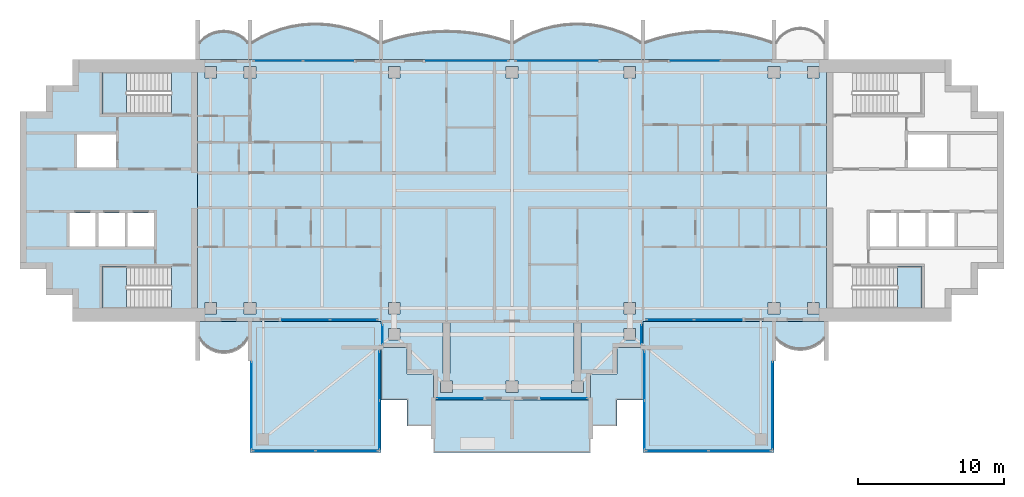
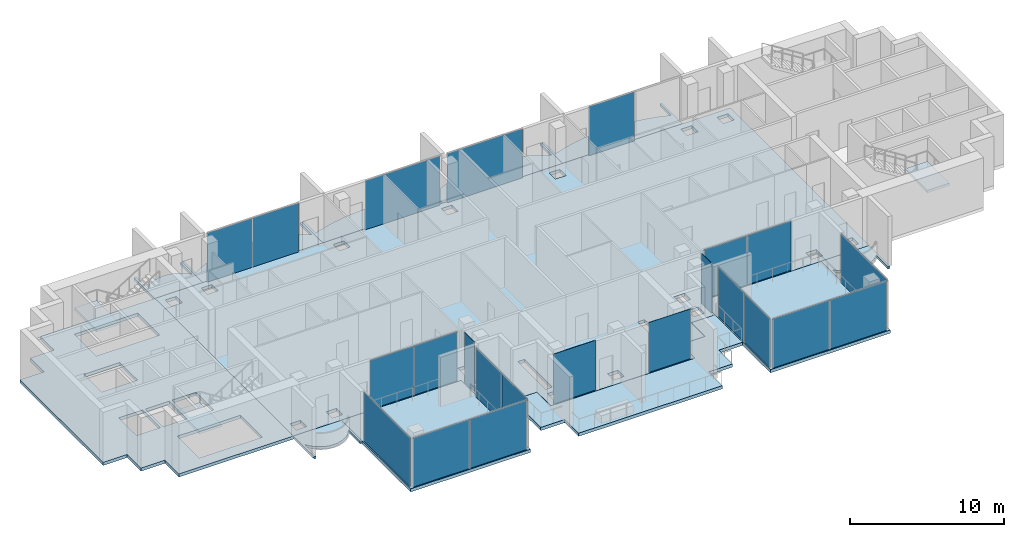
# One storey, part 5 of 16: 23 plates, 15 slabs, 19 elements without a shape of their own.
"""IFC4 building model written with IfcOpenShell, lengths in metres."""

from ifc_helpers import new_model, si_unit, direction, frame, origin, origin_2d, place, context, subcontext, project, spatial, polyline, rectangle, outline, extrude, material, layer, layer_set, type_object, element, aggregate, save


model = new_model("IFC4")

# Units and contexts
model_context = context("Model", 3, precision=1e-05, world=origin(), true_north=direction((0.0, 1.0)))
body_context = subcontext(model_context, "Body", "Model", "MODEL_VIEW")
ifc_project = project(units=[si_unit("LENGTHUNIT", "METRE"), si_unit("AREAUNIT", "SQUARE_METRE"), si_unit("VOLUMEUNIT", "CUBIC_METRE"), si_unit("PLANEANGLEUNIT", "RADIAN"), si_unit("MASSUNIT", "GRAM", prefix="KILO")], contexts=[model_context])

# Site, building, storey
site_placement = place(None, origin())
site = spatial("IfcSite", under=ifc_project, at=site_placement, CompositionType="ELEMENT")
building_placement = place(site_placement, origin())
building = spatial("IfcBuilding", under=site, at=building_placement, Name="Perihelion Cross Residences", CompositionType="ELEMENT")
storey_placement = place(building_placement, frame((0.0, 0.0, 290.39990234375)))
storey = spatial("IfcBuildingStorey", under=building, at=storey_placement, Name="L74", CompositionType="ELEMENT", Elevation=290.39990234375)

# Slabs
ifc_material_1 = material(Name="Concrete C40/50", Category="concrete")
ifc_layer_1 = layer(ifc_material_1, 0.199951171875)
ifc_layer_set_1 = layer_set([ifc_layer_1], Name="Balcony slab 200")
slab_type_1 = type_object("IfcSlabType", Name="Balcony slab 200", PredefinedType="FLOOR", material=ifc_layer_set_1)
slab_1_placement = place(storey_placement, frame((0.0, 0.0, -0.199951171875)))
element("IfcSlab", 1, at=slab_1_placement, inside=storey, type_object=slab_type_1, Name="Slab BK1 L74 east side north bay 2 balcony", PredefinedType="FLOOR", context=body_context, shape_type="SweptSolid", body=[
    extrude(outline(polyline([(18.0, 9.0), (9.0, 9.0), (9.0, 11.699951171875), (9.14990234375, 11.699951171875), (9.14990234375, 10.199951171875), (10.02001953125, 10.47509765625), (10.889892578125, 10.68505859375), (11.760009765625, 10.8330078125), (12.6298828125, 10.9208984375), (13.5, 10.949951171875), (14.3701171875, 10.9208984375), (15.239990234375, 10.8330078125), (16.110107421875, 10.68505859375), (16.97998046875, 10.47509765625), (17.85009765625, 10.199951171875), (17.85009765625, 11.699951171875), (18.0, 11.699951171875), (18.0, 9.0)])), origin(), (0.0, 0.0, 1.0), 0.199951171875),
])
slab_2_placement = place(storey_placement, frame((0.0, 0.0, -0.199951171875)))
element("IfcSlab", 2, at=slab_2_placement, inside=storey, type_object=slab_type_1, Name="Slab BK1 L74 north side east bay 1 balcony", PredefinedType="FLOOR", context=body_context, shape_type="SweptSolid", body=[
    extrude(outline(polyline([(9.0, 9.0), (0.0, 9.0), (0.0, 11.699951171875), (0.14990234375, 11.699951171875), (0.14990234375, 10.199951171875), (0.8193359375, 10.57666015625), (1.488525390625, 10.87646484375), (2.15771484375, 11.108154296875), (2.826904296875, 11.27734375), (3.49609375, 11.38818359375), (4.165283203125, 11.443115234375), (4.834716796875, 11.443115234375), (5.50390625, 11.38818359375), (6.173095703125, 11.27734375), (6.84228515625, 11.108154296875), (7.511474609375, 10.87646484375), (8.1806640625, 10.57666015625), (8.85009765625, 10.199951171875), (8.85009765625, 11.699951171875), (9.0, 11.699951171875), (9.0, 9.0)])), origin(), (0.0, 0.0, 1.0), 0.199951171875),
])
slab_3_placement = place(storey_placement, frame((0.0, 0.0, -0.199951171875)))
element("IfcSlab", 3, at=slab_3_placement, inside=storey, type_object=slab_type_1, Name="Slab BK1 L74 north side east bay 2 balcony", PredefinedType="FLOOR", context=body_context, shape_type="SweptSolid", body=[
    extrude(outline(polyline([(0.0, 9.0), (-9.0, 9.0), (-9.0, 11.699951171875), (-8.85009765625, 11.699951171875), (-8.85009765625, 10.199951171875), (-7.97998046875, 10.47509765625), (-7.110107421875, 10.68505859375), (-6.239990234375, 10.8330078125), (-5.3701171875, 10.9208984375), (-4.5, 10.949951171875), (-3.6298828125, 10.9208984375), (-2.760009765625, 10.8330078125), (-1.889892578125, 10.68505859375), (-1.02001953125, 10.47509765625), (-0.14990234375, 10.199951171875), (-0.14990234375, 11.699951171875), (0.0, 11.699951171875), (0.0, 9.0)])), origin(), (0.0, 0.0, 1.0), 0.199951171875),
])
slab_4_placement = place(storey_placement, frame((0.0, 0.0, -0.199951171875)))
element("IfcSlab", 4, at=slab_4_placement, inside=storey, type_object=slab_type_1, Name="Slab BK1 L74 west side north bay 1 balcony", PredefinedType="FLOOR", context=body_context, shape_type="SweptSolid", body=[
    extrude(outline(polyline([(-9.0, 9.0), (-18.0, 9.0), (-18.0, 11.699951171875), (-17.85009765625, 11.699951171875), (-17.85009765625, 10.199951171875), (-17.1806640625, 10.57666015625), (-16.511474609375, 10.87646484375), (-15.84228515625, 11.108154296875), (-15.173095703125, 11.27734375), (-14.50390625, 11.38818359375), (-13.834716796875, 11.443115234375), (-13.165283203125, 11.443115234375), (-12.49609375, 11.38818359375), (-11.826904296875, 11.27734375), (-11.15771484375, 11.108154296875), (-10.488525390625, 10.87646484375), (-9.8193359375, 10.57666015625), (-9.14990234375, 10.199951171875), (-9.14990234375, 11.699951171875), (-9.0, 11.699951171875), (-9.0, 9.0)])), origin(), (0.0, 0.0, 1.0), 0.199951171875),
])
slab_5_placement = place(storey_placement, frame((0.0, 0.0, -0.199951171875)))
element("IfcSlab", 5, at=slab_5_placement, inside=storey, type_object=slab_type_1, Name="Slab BK1 L74 west side north bay 2 balcony", PredefinedType="FLOOR", context=body_context, shape_type="SweptSolid", body=[
    extrude(outline(polyline([(-18.0, 9.0), (-21.60009765625, 9.0), (-21.60009765625, 11.699951171875), (-21.449951171875, 11.699951171875), (-21.449951171875, 10.199951171875), (-21.1201171875, 10.507568359375), (-20.7900390625, 10.71337890625), (-20.4599609375, 10.84814453125), (-20.1298828125, 10.925048828125), (-19.800048828125, 10.949951171875), (-19.469970703125, 10.925048828125), (-19.139892578125, 10.84814453125), (-18.81005859375, 10.71337890625), (-18.47998046875, 10.507568359375), (-18.14990234375, 10.199951171875), (-18.14990234375, 11.699951171875), (-18.0, 11.699951171875), (-18.0, 9.0)])), origin(), (0.0, 0.0, 1.0), 0.199951171875),
])
slab_6_placement = place(storey_placement, frame((0.0, 0.0, -0.199951171875)))
element("IfcSlab", 6, at=slab_6_placement, inside=storey, type_object=slab_type_1, Name="Slab BK1 L74 west side south bay 1 balcony", PredefinedType="FLOOR", context=body_context, shape_type="SweptSolid", body=[
    extrude(outline(polyline([(-21.60009765625, -9.0), (-18.0, -9.0), (-18.0, -11.699951171875), (-18.14990234375, -11.699951171875), (-18.14990234375, -10.199951171875), (-18.425048828125, -10.568603515625), (-18.699951171875, -10.806396484375), (-18.97509765625, -10.96875), (-19.25, -11.07568359375), (-19.52490234375, -11.136962890625), (-19.800048828125, -11.156982421875), (-20.074951171875, -11.136962890625), (-20.35009765625, -11.07568359375), (-20.625, -10.96875), (-20.89990234375, -10.806396484375), (-21.175048828125, -10.568603515625), (-21.449951171875, -10.199951171875), (-21.449951171875, -11.699951171875), (-21.60009765625, -11.699951171875), (-21.60009765625, -9.0)])), origin(), (0.0, 0.0, 1.0), 0.199951171875),
])
slab_7_placement = place(storey_placement, frame((0.0, 0.0, -0.199951171875)))
element("IfcSlab", 7, at=slab_7_placement, inside=storey, type_object=slab_type_1, Name="Slab BK1 L74 east side south bay 2 balcony", PredefinedType="FLOOR", context=body_context, shape_type="SweptSolid", body=[
    extrude(outline(polyline([(18.0, -9.0), (21.60009765625, -9.0), (21.60009765625, -11.699951171875), (21.449951171875, -11.699951171875), (21.449951171875, -10.199951171875), (21.1201171875, -10.507568359375), (20.7900390625, -10.71337890625), (20.4599609375, -10.84814453125), (20.1298828125, -10.925048828125), (19.800048828125, -10.949951171875), (19.469970703125, -10.925048828125), (19.139892578125, -10.84814453125), (18.81005859375, -10.71337890625), (18.47998046875, -10.507568359375), (18.14990234375, -10.199951171875), (18.14990234375, -11.699951171875), (18.0, -11.699951171875), (18.0, -9.0)])), origin(), (0.0, 0.0, 1.0), 0.199951171875),
])

# Curtain wall, plate
ifc_material_2 = material(Name="Bronze anodised aluminium, tinted glazing", Category="aluminium")
curtain_wall_type_1 = type_object("IfcCurtainWallType", Name="CW1", PredefinedType="NOTDEFINED", material=ifc_material_2)
curtain_wall_1_placement = place(storey_placement, origin())
curtain_wall_1 = element("IfcCurtainWall", 8, at=curtain_wall_1_placement, inside=storey, type_object=curtain_wall_type_1, Name="Curtain wall CW1 L74 east side north bay 2", PredefinedType="NOTDEFINED")
ifc_material_3 = material(Name="Tinted laminated glass", Category="glass")
ifc_layer_2 = layer(ifc_material_3, 0.028076171875)
ifc_layer_set_2 = layer_set([ifc_layer_2], Name="CW1 panel")
plate_type_1 = type_object("IfcPlateType", Name="CW1 panel", PredefinedType="CURTAIN_PANEL", material=ifc_layer_set_2)
plate_1_placement = place(storey_placement, frame((12.610107421875, 8.89990234375, 0.0), z_axis=(0.0, 0.0, 1.0), x_axis=(-1.0, 0.0, 0.0)))
plate_1 = element("IfcPlate", 9, at=plate_1_placement, type_object=plate_type_1, Name="CW1 panel 2", PredefinedType="CURTAIN_PANEL", context=body_context, shape_type="SweptSolid", body=[
    extrude(rectangle(XDim=3.419921875, YDim=0.028076171875, at=origin_2d()), origin(), (0.0, 0.0, 1.0), 3.889892578125),
])
aggregate(curtain_wall_1, [plate_1])

curtain_wall_2_placement = place(storey_placement, origin())
curtain_wall_2 = element("IfcCurtainWall", 10, at=curtain_wall_2_placement, inside=storey, type_object=curtain_wall_type_1, Name="Curtain wall CW1 L74 north side east bay 1", PredefinedType="NOTDEFINED")
plate_2_placement = place(storey_placement, frame((3.080078125, 8.89990234375, 0.0), z_axis=(0.0, 0.0, 1.0), x_axis=(-1.0, 0.0, 0.0)))
plate_2 = element("IfcPlate", 11, at=plate_2_placement, type_object=plate_type_1, Name="CW1 panel 1", PredefinedType="CURTAIN_PANEL", context=body_context, shape_type="SweptSolid", body=[
    extrude(rectangle(XDim=5.639892578125, YDim=0.028076171875, at=origin_2d()), origin(), (0.0, 0.0, 1.0), 3.889892578125),
])
aggregate(curtain_wall_2, [plate_2])

curtain_wall_3_placement = place(storey_placement, origin())
curtain_wall_3 = element("IfcCurtainWall", 12, at=curtain_wall_3_placement, inside=storey, type_object=curtain_wall_type_1, Name="Curtain wall CW1 L74 north side east bay 2", PredefinedType="NOTDEFINED")
plate_3_placement = place(storey_placement, frame((-3.080078125, 8.89990234375, 0.0), z_axis=(0.0, 0.0, 1.0), x_axis=(-1.0, 0.0, 0.0)))
plate_3 = element("IfcPlate", 13, at=plate_3_placement, type_object=plate_type_1, Name="CW1 panel 1", PredefinedType="CURTAIN_PANEL", context=body_context, shape_type="SweptSolid", body=[
    extrude(rectangle(XDim=5.639892578125, YDim=0.028076171875, at=origin_2d()), origin(), (0.0, 0.0, 1.0), 3.889892578125),
])
aggregate(curtain_wall_3, [plate_3])

# Curtain wall, plates
curtain_wall_4_placement = place(storey_placement, origin())
curtain_wall_4 = element("IfcCurtainWall", 14, at=curtain_wall_4_placement, inside=storey, type_object=curtain_wall_type_1, Name="Curtain wall CW1 L74 west side north bay 1", PredefinedType="NOTDEFINED")
plate_4_placement = place(storey_placement, frame((-12.610107421875, 8.89990234375, 0.0), z_axis=(0.0, 0.0, 1.0), x_axis=(-1.0, 0.0, 0.0)))
plate_4 = element("IfcPlate", 15, at=plate_4_placement, type_object=plate_type_1, Name="CW1 panel 1", PredefinedType="CURTAIN_PANEL", context=body_context, shape_type="SweptSolid", body=[
    extrude(rectangle(XDim=3.419921875, YDim=0.028076171875, at=origin_2d()), origin(), (0.0, 0.0, 1.0), 3.889892578125),
])
plate_5_placement = place(storey_placement, frame((-16.06005859375, 8.89990234375, 0.0), z_axis=(0.0, 0.0, 1.0), x_axis=(-1.0, 0.0, 0.0)))
plate_5 = element("IfcPlate", 16, at=plate_5_placement, type_object=plate_type_1, Name="CW1 panel 2", PredefinedType="CURTAIN_PANEL", context=body_context, shape_type="SweptSolid", body=[
    extrude(rectangle(XDim=3.360107421875, YDim=0.028076171875, at=origin_2d()), origin(), (0.0, 0.0, 1.0), 3.889892578125),
])
aggregate(curtain_wall_4, [plate_4, plate_5])

curtain_wall_5_placement = place(storey_placement, origin())
curtain_wall_5 = element("IfcCurtainWall", 17, at=curtain_wall_5_placement, inside=storey, type_object=curtain_wall_type_1, Name="Curtain wall CW1 L74 west side south bay 2", PredefinedType="NOTDEFINED")
plate_6_placement = place(storey_placement, frame((-14.1650390625, -8.89990234375, 0.0), z_axis=(0.0, 0.0, 1.0), x_axis=(1.0, 0.0, 0.0)))
plate_6 = element("IfcPlate", 18, at=plate_6_placement, type_object=plate_type_1, Name="CW1 panel 1", PredefinedType="CURTAIN_PANEL", context=body_context, shape_type="SweptSolid", body=[
    extrude(rectangle(XDim=3.27001953125, YDim=0.028076171875, at=origin_2d()), origin(), (0.0, 0.0, 1.0), 3.889892578125),
])
plate_7_placement = place(storey_placement, frame((-10.864990234375, -8.89990234375, 0.0), z_axis=(0.0, 0.0, 1.0), x_axis=(1.0, 0.0, 0.0)))
plate_7 = element("IfcPlate", 19, at=plate_7_placement, type_object=plate_type_1, Name="CW1 panel 2", PredefinedType="CURTAIN_PANEL", context=body_context, shape_type="SweptSolid", body=[
    extrude(rectangle(XDim=3.2099609375, YDim=0.028076171875, at=origin_2d()), origin(), (0.0, 0.0, 1.0), 3.889892578125),
])
aggregate(curtain_wall_5, [plate_6, plate_7])

# Curtain wall, plate
curtain_wall_6_placement = place(storey_placement, origin())
curtain_wall_6 = element("IfcCurtainWall", 20, at=curtain_wall_6_placement, inside=storey, type_object=curtain_wall_type_1, Name="Curtain wall CW1 L74 south side west bay 1", PredefinedType="NOTDEFINED")
plate_8_placement = place(storey_placement, frame((-8.89990234375, -9.89990234375, 0.0), z_axis=(0.0, 0.0, 1.0), x_axis=(0.0, -1.0, 0.0)))
plate_8 = element("IfcPlate", 21, at=plate_8_placement, type_object=plate_type_1, Name="CW1 panel 1", PredefinedType="CURTAIN_PANEL", context=body_context, shape_type="SweptSolid", body=[
    extrude(rectangle(XDim=1.280029296875, YDim=0.028076171875, at=origin_2d()), origin(), (0.0, 0.0, 1.0), 3.949951171875),
])
aggregate(curtain_wall_6, [plate_8])

curtain_wall_7_placement = place(storey_placement, origin())
curtain_wall_7 = element("IfcCurtainWall", 22, at=curtain_wall_7_placement, inside=storey, type_object=curtain_wall_type_1, Name="Curtain wall CW1 L74 south tip south bay 1", PredefinedType="NOTDEFINED")
plate_9_placement = place(storey_placement, frame((-3.570068359375, -14.300048828125, 0.0), z_axis=(0.0, 0.0, 1.0), x_axis=(1.0, 0.0, 0.0)))
plate_9 = element("IfcPlate", 23, at=plate_9_placement, type_object=plate_type_1, Name="CW1 panel 1", PredefinedType="CURTAIN_PANEL", context=body_context, shape_type="SweptSolid", body=[
    extrude(rectangle(XDim=3.139892578125, YDim=0.028076171875, at=origin_2d()), origin(), (0.0, 0.0, 1.0), 3.949951171875),
])
aggregate(curtain_wall_7, [plate_9])

curtain_wall_8_placement = place(storey_placement, origin())
curtain_wall_8 = element("IfcCurtainWall", 24, at=curtain_wall_8_placement, inside=storey, type_object=curtain_wall_type_1, Name="Curtain wall CW1 L74 south tip south bay 2", PredefinedType="NOTDEFINED")
plate_10_placement = place(storey_placement, frame((3.570068359375, -14.300048828125, 0.0), z_axis=(0.0, 0.0, 1.0), x_axis=(1.0, 0.0, 0.0)))
plate_10 = element("IfcPlate", 25, at=plate_10_placement, type_object=plate_type_1, Name="CW1 panel 1", PredefinedType="CURTAIN_PANEL", context=body_context, shape_type="SweptSolid", body=[
    extrude(rectangle(XDim=3.139892578125, YDim=0.028076171875, at=origin_2d()), origin(), (0.0, 0.0, 1.0), 3.949951171875),
])
aggregate(curtain_wall_8, [plate_10])

curtain_wall_9_placement = place(storey_placement, origin())
curtain_wall_9 = element("IfcCurtainWall", 26, at=curtain_wall_9_placement, inside=storey, type_object=curtain_wall_type_1, Name="Curtain wall CW1 L74 south side east bay 1", PredefinedType="NOTDEFINED")
plate_11_placement = place(storey_placement, frame((8.89990234375, -9.89990234375, 0.0), z_axis=(0.0, 0.0, 1.0), x_axis=(0.0, 1.0, 0.0)))
plate_11 = element("IfcPlate", 27, at=plate_11_placement, type_object=plate_type_1, Name="CW1 panel 1", PredefinedType="CURTAIN_PANEL", context=body_context, shape_type="SweptSolid", body=[
    extrude(rectangle(XDim=1.280029296875, YDim=0.028076171875, at=origin_2d()), origin(), (0.0, 0.0, 1.0), 3.949951171875),
])
aggregate(curtain_wall_9, [plate_11])

# Curtain wall, plates
curtain_wall_10_placement = place(storey_placement, origin())
curtain_wall_10 = element("IfcCurtainWall", 28, at=curtain_wall_10_placement, inside=storey, type_object=curtain_wall_type_1, Name="Curtain wall CW1 L74 east side south bay 1", PredefinedType="NOTDEFINED")
plate_12_placement = place(storey_placement, frame((10.864990234375, -8.89990234375, 0.0), z_axis=(0.0, 0.0, 1.0), x_axis=(1.0, 0.0, 0.0)))
plate_12 = element("IfcPlate", 29, at=plate_12_placement, type_object=plate_type_1, Name="CW1 panel 1", PredefinedType="CURTAIN_PANEL", context=body_context, shape_type="SweptSolid", body=[
    extrude(rectangle(XDim=3.2099609375, YDim=0.028076171875, at=origin_2d()), origin(), (0.0, 0.0, 1.0), 3.889892578125),
])
plate_13_placement = place(storey_placement, frame((14.1650390625, -8.89990234375, 0.0), z_axis=(0.0, 0.0, 1.0), x_axis=(1.0, 0.0, 0.0)))
plate_13 = element("IfcPlate", 30, at=plate_13_placement, type_object=plate_type_1, Name="CW1 panel 2", PredefinedType="CURTAIN_PANEL", context=body_context, shape_type="SweptSolid", body=[
    extrude(rectangle(XDim=3.27001953125, YDim=0.028076171875, at=origin_2d()), origin(), (0.0, 0.0, 1.0), 3.889892578125),
])
aggregate(curtain_wall_10, [plate_12, plate_13])

# Curtain wall, plate
ifc_material_4 = material(Name="Bronze anodised aluminium, tinted glazing", Category="aluminium")
curtain_wall_type_2 = type_object("IfcCurtainWallType", Name="CW4", PredefinedType="NOTDEFINED", material=ifc_material_4)
curtain_wall_11_placement = place(storey_placement, origin())
curtain_wall_11 = element("IfcCurtainWall", 31, at=curtain_wall_11_placement, inside=storey, type_object=curtain_wall_type_2, Name="Curtain wall CW4 L74 pocket south-east 1 1", PredefinedType="NOTDEFINED")
ifc_material_5 = material(Name="Tinted laminated glass", Category="glass")
ifc_layer_3 = layer(ifc_material_5, 0.030029296875)
ifc_layer_set_3 = layer_set([ifc_layer_3], Name="CW4 panel")
plate_type_2 = type_object("IfcPlateType", Name="CW4 panel", PredefinedType="CURTAIN_PANEL", material=ifc_layer_set_3)
plate_14_placement = place(storey_placement, frame((17.89990234375, -14.784912109375, 0.0), z_axis=(0.0, 0.0, 1.0), x_axis=(0.0, -1.0, 0.0)))
plate_14 = element("IfcPlate", 32, at=plate_14_placement, type_object=plate_type_2, Name="CW4 panel 1", PredefinedType="CURTAIN_PANEL", context=body_context, shape_type="SweptSolid", body=[
    extrude(rectangle(XDim=5.969970703125, YDim=0.030029296875, at=origin_2d()), origin(), (0.0, 0.0, 1.0), 3.889892578125),
])
aggregate(curtain_wall_11, [plate_14])

# Curtain wall, plates
curtain_wall_12_placement = place(storey_placement, origin())
curtain_wall_12 = element("IfcCurtainWall", 33, at=curtain_wall_12_placement, inside=storey, type_object=curtain_wall_type_2, Name="Curtain wall CW4 L74 pocket south-east 1 2", PredefinedType="NOTDEFINED")
plate_15_placement = place(storey_placement, frame((15.64990234375, -17.89990234375, 0.0), z_axis=(0.0, 0.0, 1.0), x_axis=(-1.0, 0.0, 0.0)))
plate_15 = element("IfcPlate", 34, at=plate_15_placement, type_object=plate_type_2, Name="CW4 panel 1", PredefinedType="CURTAIN_PANEL", context=body_context, shape_type="SweptSolid", body=[
    extrude(rectangle(XDim=4.239990234375, YDim=0.030029296875, at=origin_2d()), origin(), (0.0, 0.0, 1.0), 3.889892578125),
])
plate_16_placement = place(storey_placement, frame((11.35009765625, -17.89990234375, 0.0), z_axis=(0.0, 0.0, 1.0), x_axis=(-1.0, 0.0, 0.0)))
plate_16 = element("IfcPlate", 35, at=plate_16_placement, type_object=plate_type_2, Name="CW4 panel 2", PredefinedType="CURTAIN_PANEL", context=body_context, shape_type="SweptSolid", body=[
    extrude(rectangle(XDim=4.239990234375, YDim=0.030029296875, at=origin_2d()), origin(), (0.0, 0.0, 1.0), 3.889892578125),
])
aggregate(curtain_wall_12, [plate_15, plate_16])

curtain_wall_13_placement = place(storey_placement, origin())
curtain_wall_13 = element("IfcCurtainWall", 36, at=curtain_wall_13_placement, inside=storey, type_object=curtain_wall_type_2, Name="Curtain wall CW4 L74 pocket south-east 1 3", PredefinedType="NOTDEFINED")
plate_17_placement = place(storey_placement, frame((9.10009765625, -16.11474609375, 0.0), z_axis=(0.0, 0.0, 1.0), x_axis=(0.0, 1.0, 0.0)))
plate_17 = element("IfcPlate", 37, at=plate_17_placement, type_object=plate_type_2, Name="CW4 panel 1", PredefinedType="CURTAIN_PANEL", context=body_context, shape_type="SweptSolid", body=[
    extrude(rectangle(XDim=3.310546875, YDim=0.030029296875, at=origin_2d()), origin(), (0.0, 0.0, 1.0), 3.889892578125),
])
plate_18_placement = place(storey_placement, frame((9.10009765625, -12.744140625, 0.0), z_axis=(0.0, 0.0, 1.0), x_axis=(0.0, 1.0, 0.0)))
plate_18 = element("IfcPlate", 38, at=plate_18_placement, type_object=plate_type_2, Name="CW4 panel 2", PredefinedType="CURTAIN_PANEL", context=body_context, shape_type="SweptSolid", body=[
    extrude(rectangle(XDim=3.310546875, YDim=0.030029296875, at=origin_2d()), origin(), (0.0, 0.0, 1.0), 3.889892578125),
])
aggregate(curtain_wall_13, [plate_17, plate_18])

curtain_wall_14_placement = place(storey_placement, origin())
curtain_wall_14 = element("IfcCurtainWall", 39, at=curtain_wall_14_placement, inside=storey, type_object=curtain_wall_type_2, Name="Curtain wall CW4 L74 pocket south-west 1 1", PredefinedType="NOTDEFINED")
plate_19_placement = place(storey_placement, frame((-9.10009765625, -12.744140625, 0.0), z_axis=(0.0, 0.0, 1.0), x_axis=(0.0, -1.0, 0.0)))
plate_19 = element("IfcPlate", 40, at=plate_19_placement, type_object=plate_type_2, Name="CW4 panel 1", PredefinedType="CURTAIN_PANEL", context=body_context, shape_type="SweptSolid", body=[
    extrude(rectangle(XDim=3.310546875, YDim=0.030029296875, at=origin_2d()), origin(), (0.0, 0.0, 1.0), 3.889892578125),
])
plate_20_placement = place(storey_placement, frame((-9.10009765625, -16.11474609375, 0.0), z_axis=(0.0, 0.0, 1.0), x_axis=(0.0, -1.0, 0.0)))
plate_20 = element("IfcPlate", 41, at=plate_20_placement, type_object=plate_type_2, Name="CW4 panel 2", PredefinedType="CURTAIN_PANEL", context=body_context, shape_type="SweptSolid", body=[
    extrude(rectangle(XDim=3.310546875, YDim=0.030029296875, at=origin_2d()), origin(), (0.0, 0.0, 1.0), 3.889892578125),
])
aggregate(curtain_wall_14, [plate_19, plate_20])

curtain_wall_15_placement = place(storey_placement, origin())
curtain_wall_15 = element("IfcCurtainWall", 42, at=curtain_wall_15_placement, inside=storey, type_object=curtain_wall_type_2, Name="Curtain wall CW4 L74 pocket south-west 1 2", PredefinedType="NOTDEFINED")
plate_21_placement = place(storey_placement, frame((-11.35009765625, -17.89990234375, 0.0), z_axis=(0.0, 0.0, 1.0), x_axis=(-1.0, 0.0, 0.0)))
plate_21 = element("IfcPlate", 43, at=plate_21_placement, type_object=plate_type_2, Name="CW4 panel 1", PredefinedType="CURTAIN_PANEL", context=body_context, shape_type="SweptSolid", body=[
    extrude(rectangle(XDim=4.239990234375, YDim=0.030029296875, at=origin_2d()), origin(), (0.0, 0.0, 1.0), 3.889892578125),
])
plate_22_placement = place(storey_placement, frame((-15.64990234375, -17.89990234375, 0.0), z_axis=(0.0, 0.0, 1.0), x_axis=(-1.0, 0.0, 0.0)))
plate_22 = element("IfcPlate", 44, at=plate_22_placement, type_object=plate_type_2, Name="CW4 panel 2", PredefinedType="CURTAIN_PANEL", context=body_context, shape_type="SweptSolid", body=[
    extrude(rectangle(XDim=4.239990234375, YDim=0.030029296875, at=origin_2d()), origin(), (0.0, 0.0, 1.0), 3.889892578125),
])
aggregate(curtain_wall_15, [plate_21, plate_22])

# Curtain wall, plate
curtain_wall_16_placement = place(storey_placement, origin())
curtain_wall_16 = element("IfcCurtainWall", 45, at=curtain_wall_16_placement, inside=storey, type_object=curtain_wall_type_2, Name="Curtain wall CW4 L74 pocket south-west 1 3", PredefinedType="NOTDEFINED")
plate_23_placement = place(storey_placement, frame((-17.89990234375, -14.784912109375, 0.0), z_axis=(0.0, 0.0, 1.0), x_axis=(0.0, 1.0, 0.0)))
plate_23 = element("IfcPlate", 46, at=plate_23_placement, type_object=plate_type_2, Name="CW4 panel 1", PredefinedType="CURTAIN_PANEL", context=body_context, shape_type="SweptSolid", body=[
    extrude(rectangle(XDim=5.969970703125, YDim=0.030029296875, at=origin_2d()), origin(), (0.0, 0.0, 1.0), 3.889892578125),
])
aggregate(curtain_wall_16, [plate_23])

# Slab
ifc_material_6 = material(Name="Concrete C40/50", Category="concrete")
ifc_layer_4 = layer(ifc_material_6, 0.25)
ifc_layer_set_4 = layer_set([ifc_layer_4], Name="Core floor slab 250")
slab_type_2 = type_object("IfcSlabType", Name="Core floor slab 250", PredefinedType="FLOOR", material=ifc_layer_set_4)
slab_8_placement = place(storey_placement, frame((0.0, 0.0, -0.25)))
element("IfcSlab", 47, at=slab_8_placement, inside=storey, type_object=slab_type_2, Name="West core floor slab", PredefinedType="FLOOR", context=body_context, shape_type="SweptSolid", body=[
    extrude(outline(polyline([(-30.199951171875, 7.199951171875), (-32.0, 7.199951171875), (-32.0, 5.39990234375), (-33.800048828125, 5.39990234375), (-33.800048828125, -5.39990234375), (-32.0, -5.39990234375), (-32.0, -7.199951171875), (-30.199951171875, -7.199951171875), (-30.199951171875, -9.0), (-21.60009765625, -9.0), (-21.60009765625, 9.0), (-30.199951171875, 9.0), (-30.199951171875, 7.199951171875)]), holes=[polyline([(-28.14990234375, -8.10009765625), (-28.14990234375, -5.25), (-23.405029296875, -5.25), (-23.405029296875, -8.10009765625), (-28.14990234375, -8.10009765625)]), polyline([(-24.60009765625, -1.550048828125), (-24.60009765625, -3.85009765625), (-26.39990234375, -3.85009765625), (-26.39990234375, -1.550048828125), (-24.60009765625, -1.550048828125)]), polyline([(-26.60009765625, -1.550048828125), (-26.60009765625, -3.85009765625), (-28.39990234375, -3.85009765625), (-28.39990234375, -1.550048828125), (-26.60009765625, -1.550048828125)]), polyline([(-28.60009765625, -3.85009765625), (-30.39990234375, -3.85009765625), (-30.39990234375, -1.550048828125), (-28.60009765625, -1.550048828125), (-28.60009765625, -3.85009765625)]), polyline([(-27.199951171875, 3.85009765625), (-27.199951171875, 1.550048828125), (-29.89990234375, 1.550048828125), (-29.89990234375, 3.85009765625), (-27.199951171875, 3.85009765625)]), polyline([(-23.405029296875, 5.25), (-28.14990234375, 5.25), (-28.14990234375, 8.10009765625), (-23.405029296875, 8.10009765625), (-23.405029296875, 5.25)])]), origin(), (0.0, 0.0, 1.0), 0.25),
])

# Stair, slab
ifc_material_7 = material(Name="Concrete C40/50", Category="concrete")
stair_type = type_object("IfcStairType", Name="Exit stair, half-turn", PredefinedType="HALF_TURN_STAIR", material=ifc_material_7)
stair_1_placement = place(storey_placement, origin())
stair_1 = element("IfcStair", 48, at=stair_1_placement, inside=storey, type_object=stair_type, Name="L74 East core exit stair 2", PredefinedType="HALF_TURN_STAIR")
ifc_material_8 = material(Name="Concrete C40/50", Category="concrete")
ifc_layer_5 = layer(ifc_material_8, 0.199951171875)
ifc_layer_set_5 = layer_set([ifc_layer_5], Name="Exit stair landing 200")
slab_type_3 = type_object("IfcSlabType", Name="Exit stair landing 200", PredefinedType="LANDING", material=ifc_layer_set_5)
slab_9_placement = place(storey_placement, frame((0.0, 0.0, 1.900146484375)))
slab_9 = element("IfcSlab", 49, at=slab_9_placement, type_object=slab_type_3, Name="ST-E2 landing 1", PredefinedType="LANDING", context=body_context, shape_type="SweptSolid", body=[
    extrude(outline(polyline([(26.47998046875, -8.10009765625), (28.14990234375, -8.10009765625), (28.14990234375, -5.25), (26.47998046875, -5.25), (26.47998046875, -8.10009765625)])), origin(), (0.0, 0.0, 1.0), 0.199951171875),
])
aggregate(stair_1, [slab_9])

stair_2_placement = place(storey_placement, origin())
stair_2 = element("IfcStair", 50, at=stair_2_placement, inside=storey, type_object=stair_type, Name="L74 West core exit stair 1", PredefinedType="HALF_TURN_STAIR")
slab_10_placement = place(storey_placement, frame((0.0, 0.0, 1.900146484375)))
slab_10 = element("IfcSlab", 51, at=slab_10_placement, type_object=slab_type_3, Name="ST-W1 landing 1", PredefinedType="LANDING", context=body_context, shape_type="SweptSolid", body=[
    extrude(outline(polyline([(-26.47998046875, 8.10009765625), (-28.14990234375, 8.10009765625), (-28.14990234375, 5.25), (-26.47998046875, 5.25), (-26.47998046875, 8.10009765625)])), origin(), (0.0, 0.0, 1.0), 0.199951171875),
])
aggregate(stair_2, [slab_10])

stair_3_placement = place(storey_placement, origin())
stair_3 = element("IfcStair", 52, at=stair_3_placement, inside=storey, type_object=stair_type, Name="L74 West core exit stair 2", PredefinedType="HALF_TURN_STAIR")
slab_11_placement = place(storey_placement, frame((0.0, 0.0, 1.900146484375)))
slab_11 = element("IfcSlab", 53, at=slab_11_placement, type_object=slab_type_3, Name="ST-W2 landing 1", PredefinedType="LANDING", context=body_context, shape_type="SweptSolid", body=[
    extrude(outline(polyline([(-26.47998046875, -5.25), (-28.14990234375, -5.25), (-28.14990234375, -8.10009765625), (-26.47998046875, -8.10009765625), (-26.47998046875, -5.25)])), origin(), (0.0, 0.0, 1.0), 0.199951171875),
])
aggregate(stair_3, [slab_11])

# Slabs
ifc_material_9 = material(Name="Concrete C50/60", Category="concrete")
ifc_layer_6 = layer(ifc_material_9, 0.25)
ifc_layer_set_6 = layer_set([ifc_layer_6], Name="Penthouse floor post-tensioned slab concrete C50/60")
slab_type_4 = type_object("IfcSlabType", Name="Penthouse floor post-tensioned slab concrete C50/60", PredefinedType="FLOOR", material=ifc_layer_set_6)
slab_12_placement = place(storey_placement, frame((0.0, 0.0, -0.25)))
element("IfcSlab", 54, at=slab_12_placement, inside=storey, type_object=slab_type_4, Name="Slab SL11 L74 1 no. 1", PredefinedType="FLOOR", context=body_context, shape_type="SweptSolid", body=[
    extrude(outline(polyline([(-9.0, 9.0), (9.0, 9.0), (21.60009765625, 9.0), (21.60009765625, -9.0), (9.0, -9.0), (9.0, -10.800048828125), (7.199951171875, -10.800048828125), (7.199951171875, -12.60009765625), (5.39990234375, -12.60009765625), (5.39990234375, -14.39990234375), (-5.39990234375, -14.39990234375), (-5.39990234375, -12.60009765625), (-7.199951171875, -12.60009765625), (-7.199951171875, -10.800048828125), (-9.0, -10.800048828125), (-9.0, -9.0), (-21.60009765625, -9.0), (-21.60009765625, 9.0), (-9.0, 9.0)]), holes=[polyline([(-4.10009765625, -13.10009765625), (-4.89990234375, -13.10009765625), (-4.89990234375, -13.89990234375), (-4.10009765625, -13.89990234375), (-4.10009765625, -13.10009765625)]), polyline([(-4.25, -9.0), (-4.75, -9.0), (-4.75, -12.60009765625), (-4.25, -12.60009765625), (-4.25, -9.0)]), polyline([(-7.699951171875, -10.300048828125), (-7.699951171875, -9.5), (-8.5, -9.5), (-8.5, -10.300048828125), (-7.699951171875, -10.300048828125)]), polyline([(-20.300048828125, -8.5), (-20.300048828125, -7.699951171875), (-21.10009765625, -7.699951171875), (-21.10009765625, -8.5), (-20.300048828125, -8.5)]), polyline([(-17.60009765625, -7.699951171875), (-18.39990234375, -7.699951171875), (-18.39990234375, -8.5), (-17.60009765625, -8.5), (-17.60009765625, -7.699951171875)]), polyline([(-7.699951171875, -8.5), (-7.699951171875, -7.699951171875), (-8.5, -7.699951171875), (-8.5, -8.5), (-7.699951171875, -8.5)]), polyline([(-20.300048828125, 8.5), (-21.10009765625, 8.5), (-21.10009765625, 7.699951171875), (-20.300048828125, 7.699951171875), (-20.300048828125, 8.5)]), polyline([(-17.60009765625, 7.699951171875), (-17.60009765625, 8.5), (-18.39990234375, 8.5), (-18.39990234375, 7.699951171875), (-17.60009765625, 7.699951171875)]), polyline([(-7.699951171875, 7.699951171875), (-7.699951171875, 8.5), (-8.5, 8.5), (-8.5, 7.699951171875), (-7.699951171875, 7.699951171875)]), polyline([(0.39990234375, 8.5), (-0.39990234375, 8.5), (-0.39990234375, 7.699951171875), (0.39990234375, 7.699951171875), (0.39990234375, 8.5)]), polyline([(0.39990234375, -13.89990234375), (0.39990234375, -13.10009765625), (-0.39990234375, -13.10009765625), (-0.39990234375, -13.89990234375), (0.39990234375, -13.89990234375)]), polyline([(4.89990234375, -13.89990234375), (4.89990234375, -13.10009765625), (4.10009765625, -13.10009765625), (4.10009765625, -13.89990234375), (4.89990234375, -13.89990234375)]), polyline([(4.75, -9.0), (4.25, -9.0), (4.25, -12.60009765625), (4.75, -12.60009765625), (4.75, -9.0)]), polyline([(8.5, -10.300048828125), (8.5, -9.5), (7.699951171875, -9.5), (7.699951171875, -10.300048828125), (8.5, -10.300048828125)]), polyline([(8.5, -8.5), (8.5, -7.699951171875), (7.699951171875, -7.699951171875), (7.699951171875, -8.5), (8.5, -8.5)]), polyline([(18.39990234375, -7.699951171875), (17.60009765625, -7.699951171875), (17.60009765625, -8.5), (18.39990234375, -8.5), (18.39990234375, -7.699951171875)]), polyline([(21.10009765625, -8.5), (21.10009765625, -7.699951171875), (20.300048828125, -7.699951171875), (20.300048828125, -8.5), (21.10009765625, -8.5)]), polyline([(8.5, 8.5), (7.699951171875, 8.5), (7.699951171875, 7.699951171875), (8.5, 7.699951171875), (8.5, 8.5)]), polyline([(18.39990234375, 7.699951171875), (18.39990234375, 8.5), (17.60009765625, 8.5), (17.60009765625, 7.699951171875), (18.39990234375, 7.699951171875)]), polyline([(21.10009765625, 7.699951171875), (21.10009765625, 8.5), (20.300048828125, 8.5), (20.300048828125, 7.699951171875), (21.10009765625, 7.699951171875)])]), origin(), (0.0, 0.0, 1.0), 0.25),
])
ifc_material_10 = material(Name="Concrete C40/50", Category="concrete")
ifc_layer_7 = layer(ifc_material_10, 0.25)
ifc_layer_set_7 = layer_set([ifc_layer_7], Name="Setback terrace slab")
slab_type_5 = type_object("IfcSlabType", Name="Setback terrace slab", PredefinedType="ROOF", material=ifc_layer_set_7)
slab_13_placement = place(storey_placement, frame((0.0, 0.0, -0.25)))
element("IfcSlab", 55, at=slab_13_placement, inside=storey, type_object=slab_type_5, Name="Slab TR1 L74 terrace 1", PredefinedType="ROOF", context=body_context, shape_type="SweptSolid", body=[
    extrude(outline(polyline([(7.199951171875, -14.39990234375), (9.0, -14.39990234375), (9.0, -10.81005859375), (7.2099609375, -10.81005859375), (7.2099609375, -12.610107421875), (5.409912109375, -12.610107421875), (5.409912109375, -14.409912109375), (-5.409912109375, -14.409912109375), (-5.409912109375, -12.610107421875), (-7.2099609375, -12.610107421875), (-7.2099609375, -10.81005859375), (-9.0, -10.81005859375), (-9.0, -14.39990234375), (-7.199951171875, -14.39990234375), (-7.199951171875, -16.199951171875), (-5.39990234375, -16.199951171875), (-5.39990234375, -18.0), (5.39990234375, -18.0), (5.39990234375, -16.199951171875), (7.199951171875, -16.199951171875), (7.199951171875, -14.39990234375)])), origin(), (0.0, 0.0, 1.0), 0.25),
])
ifc_material_11 = material(Name="Concrete C40/50", Category="concrete")
ifc_layer_8 = layer(ifc_material_11, 0.25)
ifc_layer_set_8 = layer_set([ifc_layer_8], Name="Winter garden slab")
slab_type_6 = type_object("IfcSlabType", Name="Winter garden slab", PredefinedType="FLOOR", material=ifc_layer_set_8)
slab_14_placement = place(storey_placement, frame((0.0, 0.0, -0.25)))
element("IfcSlab", 56, at=slab_14_placement, inside=storey, type_object=slab_type_6, Name="Slab BK3 L74 pocket south-west", PredefinedType="FLOOR", context=body_context, shape_type="SweptSolid", body=[
    extrude(outline(polyline([(-9.0, -18.0), (-9.0, -9.0), (-18.0, -9.0), (-18.0, -18.0), (-9.0, -18.0)])), origin(), (0.0, 0.0, 1.0), 0.25),
])
slab_15_placement = place(storey_placement, frame((0.0, 0.0, -0.25)))
element("IfcSlab", 57, at=slab_15_placement, inside=storey, type_object=slab_type_6, Name="Slab BK3 L74 pocket south-east", PredefinedType="FLOOR", context=body_context, shape_type="SweptSolid", body=[
    extrude(outline(polyline([(18.0, -18.0), (18.0, -9.0), (9.0, -9.0), (9.0, -18.0), (18.0, -18.0)])), origin(), (0.0, 0.0, 1.0), 0.25),
])

save(model, "model.ifc")
